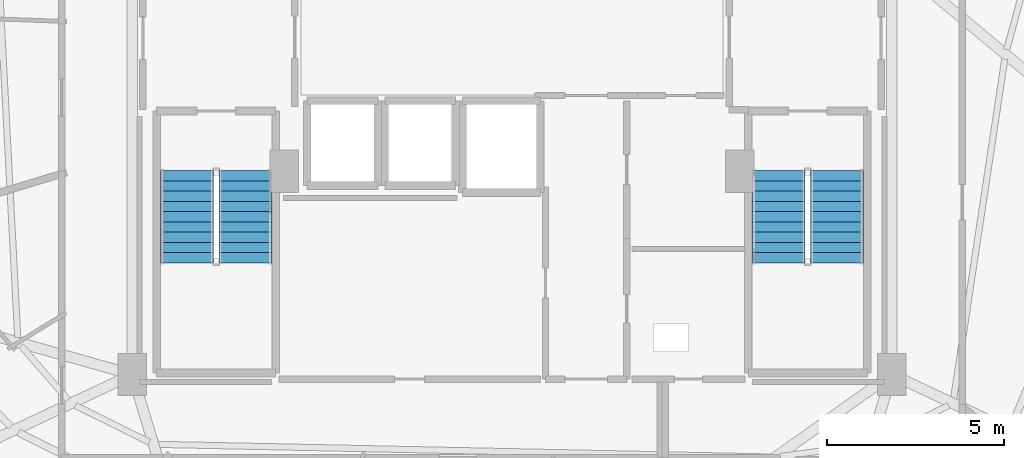
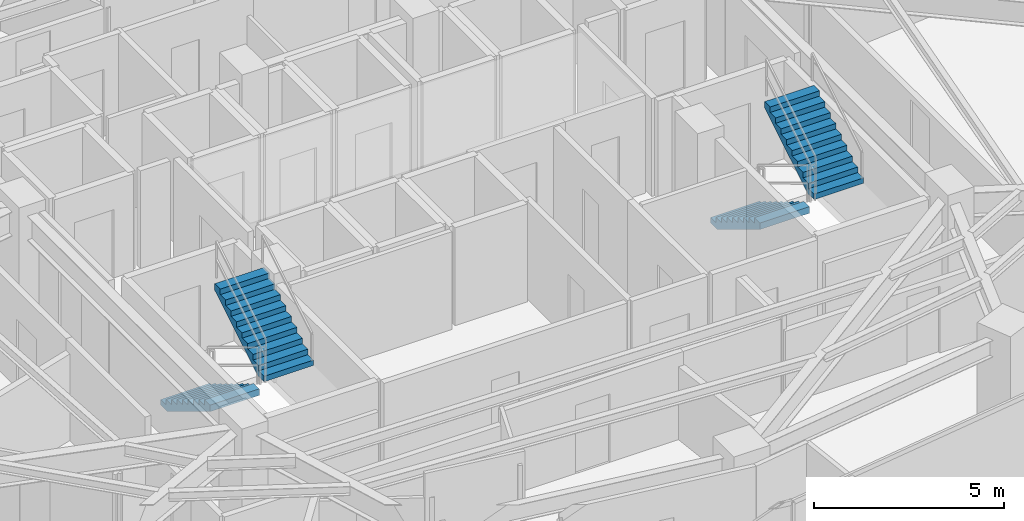
# One storey, part 26 of 29: 4 stair flights, 2 elements without a shape of their own.
"""IFC4 building model written with IfcOpenShell, lengths in metres."""

from ifc_helpers import new_model, si_unit, direction, frame, origin, place, context, subcontext, project, spatial, polyline, outline, extrude, material, type_object, element, aggregate, save


model = new_model("IFC4")

# Units and contexts
model_context = context("Model", 3, precision=1e-05, world=origin(), true_north=direction((0.0, 1.0)))
body_context = subcontext(model_context, "Body", "Model", "MODEL_VIEW")
ifc_project = project(units=[si_unit("LENGTHUNIT", "METRE"), si_unit("AREAUNIT", "SQUARE_METRE"), si_unit("VOLUMEUNIT", "CUBIC_METRE"), si_unit("PLANEANGLEUNIT", "RADIAN"), si_unit("MASSUNIT", "GRAM", prefix="KILO")], contexts=[model_context])

# Site, building, storey
site_placement = place(None, origin())
site = spatial("IfcSite", under=ifc_project, at=site_placement, CompositionType="ELEMENT")
building_placement = place(site_placement, origin())
building = spatial("IfcBuilding", under=site, at=building_placement, Name="Vorneva Point Tower", CompositionType="ELEMENT")
storey_placement = place(building_placement, frame((0.0, 0.0, 120.800048828125)))
storey = spatial("IfcBuildingStorey", under=building, at=storey_placement, Name="L32", CompositionType="ELEMENT", Elevation=120.800048828125)

# Stair, stair flights
ifc_material = material(Name="Concrete B50 (C40/50)", Category="concrete")
stair_type = type_object("IfcStairType", Name="ST-DOG-1500", PredefinedType="HALF_TURN_STAIR", material=ifc_material)
stair_1_placement = place(storey_placement, origin())
stair_1 = element("IfcStair", 1, at=stair_1_placement, inside=storey, type_object=stair_type, Name="L32 ST1", PredefinedType="HALF_TURN_STAIR")
stair_flight_type = type_object("IfcStairFlightType", Name="STF-1500", PredefinedType="STRAIGHT", material=ifc_material)
stair_flight_1_placement = place(storey_placement, frame((28.800048828125, 22.219970703125, 0.0), z_axis=(0.0, 0.0, 1.0), x_axis=(0.0, -1.0, 0.0)))
stair_flight_1 = element("IfcStairFlight", 2, at=stair_flight_1_placement, type_object=stair_flight_type, Name="ST1 flight 1", NumberOfRisers=10, NumberOfTreads=9, PredefinedType="STRAIGHT", RiserHeight=0.175, TreadLength=0.29, context=body_context, shape_type="SweptSolid", body=[
    extrude(outline(polyline([(0.0, 0.0), (0.0, 0.175048828125), (0.2900390625, 0.175048828125), (0.2900390625, 0.35009765625), (0.580078125, 0.35009765625), (0.580078125, 0.52490234375), (0.8701171875, 0.52490234375), (0.8701171875, 0.699951171875), (1.159912109375, 0.699951171875), (1.159912109375, 0.875), (1.449951171875, 0.875), (1.449951171875, 1.050048828125), (1.739990234375, 1.050048828125), (1.739990234375, 1.22509765625), (2.030029296875, 1.22509765625), (2.030029296875, 1.39990234375), (2.320068359375, 1.39990234375), (2.320068359375, 1.574951171875), (2.610107421875, 1.574951171875), (2.610107421875, 1.75), (2.610107421875, 1.36474609375), (0.34814453125, 0.0), (0.0, 0.0)])), frame((0.0, 0.75, 0.0), z_axis=(0.0, -1.0, 0.0), x_axis=(1.0, 0.0, 0.0)), (0.0, 0.0, 1.0), 1.5),
])
stair_flight_2_placement = place(storey_placement, frame((30.449951171875, 19.610107421875, 1.75), z_axis=(0.0, 0.0, 1.0), x_axis=(0.0, 1.0, 0.0)))
stair_flight_2 = element("IfcStairFlight", 3, at=stair_flight_2_placement, type_object=stair_flight_type, Name="ST1 flight 2", NumberOfRisers=10, NumberOfTreads=9, PredefinedType="STRAIGHT", RiserHeight=0.175, TreadLength=0.29, context=body_context, shape_type="SweptSolid", body=[
    extrude(outline(polyline([(0.0, 0.0), (0.0, 0.175048828125), (0.2900390625, 0.175048828125), (0.2900390625, 0.35009765625), (0.580078125, 0.35009765625), (0.580078125, 0.52490234375), (0.8701171875, 0.52490234375), (0.8701171875, 0.699951171875), (1.159912109375, 0.699951171875), (1.159912109375, 0.875), (1.449951171875, 0.875), (1.449951171875, 1.050048828125), (1.739990234375, 1.050048828125), (1.739990234375, 1.22509765625), (2.030029296875, 1.22509765625), (2.030029296875, 1.39990234375), (2.320068359375, 1.39990234375), (2.320068359375, 1.574951171875), (2.610107421875, 1.574951171875), (2.610107421875, 1.75), (2.610107421875, 1.36474609375), (0.34814453125, 0.0), (0.0, 0.0)])), frame((0.0, 0.75, 0.0), z_axis=(0.0, -1.0, 0.0), x_axis=(1.0, 0.0, 0.0)), (0.0, 0.0, 1.0), 1.5),
])
aggregate(stair_1, [stair_flight_1, stair_flight_2])

stair_2_placement = place(storey_placement, origin())
stair_2 = element("IfcStair", 4, at=stair_2_placement, inside=storey, type_object=stair_type, Name="L32 ST2", PredefinedType="HALF_TURN_STAIR")
stair_flight_3_placement = place(storey_placement, frame((45.550048828125, 22.219970703125, 0.0), z_axis=(0.0, 0.0, 1.0), x_axis=(0.0, -1.0, 0.0)))
stair_flight_3 = element("IfcStairFlight", 5, at=stair_flight_3_placement, type_object=stair_flight_type, Name="ST2 flight 1", NumberOfRisers=10, NumberOfTreads=9, PredefinedType="STRAIGHT", RiserHeight=0.175, TreadLength=0.29, context=body_context, shape_type="SweptSolid", body=[
    extrude(outline(polyline([(0.0, 0.0), (0.0, 0.175048828125), (0.2900390625, 0.175048828125), (0.2900390625, 0.35009765625), (0.580078125, 0.35009765625), (0.580078125, 0.52490234375), (0.8701171875, 0.52490234375), (0.8701171875, 0.699951171875), (1.159912109375, 0.699951171875), (1.159912109375, 0.875), (1.449951171875, 0.875), (1.449951171875, 1.050048828125), (1.739990234375, 1.050048828125), (1.739990234375, 1.22509765625), (2.030029296875, 1.22509765625), (2.030029296875, 1.39990234375), (2.320068359375, 1.39990234375), (2.320068359375, 1.574951171875), (2.610107421875, 1.574951171875), (2.610107421875, 1.75), (2.610107421875, 1.36474609375), (0.34814453125, 0.0), (0.0, 0.0)])), frame((0.0, 0.75, 0.0), z_axis=(0.0, -1.0, 0.0), x_axis=(1.0, 0.0, 0.0)), (0.0, 0.0, 1.0), 1.5),
])
stair_flight_4_placement = place(storey_placement, frame((47.199951171875, 19.610107421875, 1.75), z_axis=(0.0, 0.0, 1.0), x_axis=(0.0, 1.0, 0.0)))
stair_flight_4 = element("IfcStairFlight", 6, at=stair_flight_4_placement, type_object=stair_flight_type, Name="ST2 flight 2", NumberOfRisers=10, NumberOfTreads=9, PredefinedType="STRAIGHT", RiserHeight=0.175, TreadLength=0.29, context=body_context, shape_type="SweptSolid", body=[
    extrude(outline(polyline([(0.0, 0.0), (0.0, 0.175048828125), (0.2900390625, 0.175048828125), (0.2900390625, 0.35009765625), (0.580078125, 0.35009765625), (0.580078125, 0.52490234375), (0.8701171875, 0.52490234375), (0.8701171875, 0.699951171875), (1.159912109375, 0.699951171875), (1.159912109375, 0.875), (1.449951171875, 0.875), (1.449951171875, 1.050048828125), (1.739990234375, 1.050048828125), (1.739990234375, 1.22509765625), (2.030029296875, 1.22509765625), (2.030029296875, 1.39990234375), (2.320068359375, 1.39990234375), (2.320068359375, 1.574951171875), (2.610107421875, 1.574951171875), (2.610107421875, 1.75), (2.610107421875, 1.36474609375), (0.34814453125, 0.0), (0.0, 0.0)])), frame((0.0, 0.75, 0.0), z_axis=(0.0, -1.0, 0.0), x_axis=(1.0, 0.0, 0.0)), (0.0, 0.0, 1.0), 1.5),
])
aggregate(stair_2, [stair_flight_3, stair_flight_4])

save(model, "model.ifc")
